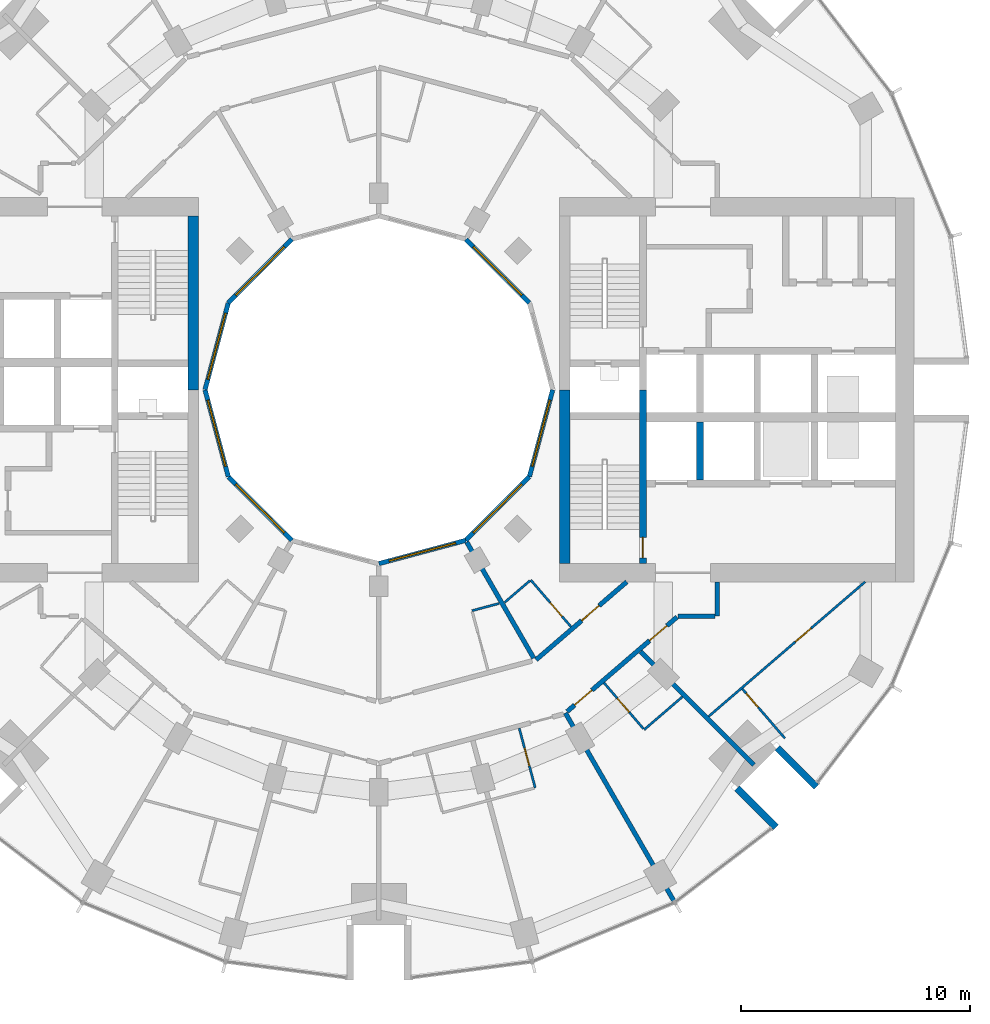
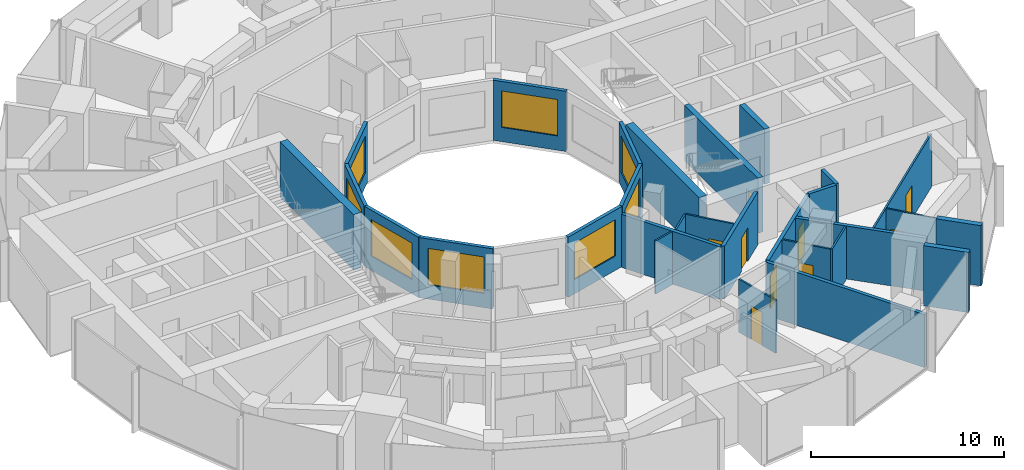
# One storey, part 10 of 15: 29 walls, 9 doors, 8 windows, 17 openings.
"""IFC4 building model written with IfcOpenShell, lengths in metres."""

from ifc_helpers import new_model, si_unit, direction, frame, frame_2d, origin, place, context, subcontext, project, spatial, rectangle, extrude, material, layer, layer_set, type_object, element, fill, save


model = new_model("IFC4")

# Units and contexts
model_context = context("Model", 3, precision=1e-05, world=origin(), true_north=direction((0.0, 1.0)))
body_context = subcontext(model_context, "Body", "Model", "MODEL_VIEW")
ifc_project = project(units=[si_unit("LENGTHUNIT", "METRE"), si_unit("AREAUNIT", "SQUARE_METRE"), si_unit("VOLUMEUNIT", "CUBIC_METRE"), si_unit("PLANEANGLEUNIT", "RADIAN"), si_unit("MASSUNIT", "GRAM", prefix="KILO")], contexts=[model_context])

# Site, building, storey
site_placement = place(None, origin())
site = spatial("IfcSite", under=ifc_project, at=site_placement, CompositionType="ELEMENT")
building_placement = place(site_placement, origin())
building = spatial("IfcBuilding", under=site, at=building_placement, Name="Torre Brocal", CompositionType="ELEMENT")
storey_placement = place(building_placement, frame((0.0, 0.0, 51.60009765625)))
storey = spatial("IfcBuildingStorey", under=building, at=storey_placement, Name="L11", CompositionType="ELEMENT", Elevation=51.60009765625)

# Wall, opening, door
ifc_material_1 = material(Name="Concrete C80", Category="concrete")
ifc_layer_1 = layer(ifc_material_1, 0.300048828125)
ifc_layer_set_1 = layer_set([ifc_layer_1], Name="Concrete C80")
wall_type_1 = type_object("IfcWallType", Name="CORE WALL 300 C80", PredefinedType="SHEAR", material=ifc_layer_set_1)
wall_1_placement = place(storey_placement, frame((91.550048828125, 67.39990234375, 0.0), z_axis=(0.0, 0.0, 1.0), x_axis=(0.0, 1.0, 0.0)))
wall_1 = element("IfcWall", 1, at=wall_1_placement, inside=storey, type_object=wall_type_1, Name="Wall CW300-80", PredefinedType="SHEAR", context=body_context, shape_type="SweptSolid", body=[
    extrude(rectangle(XDim=7.60009765625, YDim=0.300048828125, at=frame_2d((3.800048828125, 0.0))), origin(), (0.0, 0.0, 1.0), 3.47998046875),
])
opening_1_placement = place(wall_1_placement, frame((0.25, 0.0, 0.0)))
opening_1 = element("IfcOpeningElement", 2, at=opening_1_placement, cuts=wall_1, Name="Opening E-D03", PredefinedType="OPENING", context=body_context, shape_type="SweptSolid", body=[
    extrude(rectangle(XDim=0.89990234375, YDim=2.10009765625, at=frame_2d((0.449951171875, 1.050048828125))), frame((0.0, 0.159912109375, 0.0), z_axis=(0.0, -1.0, 0.0), x_axis=(1.0, 0.0, 0.0)), (0.0, 0.0, 1.0), 0.320068359375),
])
ifc_material_2 = material(Name="Steel A653", Category="steel")
door_type_1 = type_object("IfcDoorType", Name="STAIR DOOR FD120 900X2100", OperationType="SINGLE_SWING_RIGHT", PredefinedType="DOOR", material=ifc_material_2)
door_1_placement = place(opening_1_placement, origin())
door_1 = element("IfcDoor", 3, at=door_1_placement, inside=storey, type_object=door_type_1, Name="Door E-D03", OperationType="SINGLE_SWING_LEFT", OverallHeight=2.10009765625, OverallWidth=0.89990234375, PredefinedType="DOOR", context=body_context, shape_type="SweptSolid", body=[
    extrude(rectangle(XDim=0.89990234375, YDim=2.10009765625, at=frame_2d((0.449951171875, 1.050048828125))), frame((0.0, 0.02490234375, 0.0), z_axis=(0.0, -1.0, 0.0), x_axis=(1.0, 0.0, 0.0)), (0.0, 0.0, 1.0), 0.050048828125),
])
fill(opening_1, door_1)

# Walls
wall_2_placement = place(storey_placement, frame((94.050048828125, 71.050048828125, 0.0), z_axis=(0.0, 0.0, 1.0), x_axis=(0.0, 1.0, 0.0)))
element("IfcWall", 4, at=wall_2_placement, inside=storey, type_object=wall_type_1, Name="Wall CW300-80", PredefinedType="SHEAR", context=body_context, shape_type="SweptSolid", body=[
    extrude(rectangle(XDim=2.550048828125, YDim=0.300048828125, at=frame_2d((1.27490234375, 0.0))), origin(), (0.0, 0.0, 1.0), 3.47998046875),
])
ifc_material_3 = material(Name="Concrete C80", Category="concrete")
ifc_layer_2 = layer(ifc_material_3, 0.449951171875)
ifc_layer_set_2 = layer_set([ifc_layer_2], Name="Concrete C80")
wall_type_2 = type_object("IfcWallType", Name="CORE WALL 450 C80", PredefinedType="SHEAR", material=ifc_layer_set_2)
for number, where, z_axis, x_axis, name in (
    (5, (88.125, 67.39990234375, 0.0), (0.0, 0.0, 1.0), (0.0, 1.0, 0.0), "Wall CW450-80"),
    (6, (71.875, 82.60009765625, 0.0), (0.0, 0.0, 1.0), (0.0, -1.0, 0.0), "Wall CW450-80"),
):
    element("IfcWall", number, at=place(storey_placement, frame(where, z_axis=z_axis, x_axis=x_axis)), inside=storey, type_object=wall_type_2, Name=name, PredefinedType="SHEAR", context=body_context, shape_type="SweptSolid", body=[
        extrude(rectangle(XDim=7.60009765625, YDim=0.449951171875, at=frame_2d((3.800048828125, 0.0))), origin(), (0.0, 0.0, 1.0), 3.47998046875),
    ])
ifc_material_4 = material(Name="Concrete C80", Category="concrete")
ifc_layer_3 = layer(ifc_material_4, 0.300048828125)
ifc_layer_set_3 = layer_set([ifc_layer_3], Name="Concrete C80")
wall_type_3 = type_object("IfcWallType", Name="NOTCH RETURN WALL 300 C80", PredefinedType="NOTDEFINED", material=ifc_layer_set_3)
for number, where, z_axis, x_axis, name in (
    (7, (95.662353515625, 57.56982421875, 0.0), (0.0, 0.0, 1.0), (0.707106781187, -0.707106781187, 0.0), "NOTCH RETURN WALL"),
    (8, (97.43017578125, 59.337646484375, 0.0), (0.0, 0.0, 1.0), (0.707106781187, -0.707106781187, 0.0), "NOTCH RETURN WALL"),
):
    element("IfcWall", number, at=place(storey_placement, frame(where, z_axis=z_axis, x_axis=x_axis)), inside=storey, type_object=wall_type_3, Name=name, PredefinedType="NOTDEFINED", context=body_context, shape_type="SweptSolid", body=[
        extrude(rectangle(XDim=2.415771484375, YDim=0.300048828125, at=frame_2d((1.2080078125, 0.0))), origin(), (0.0, 0.0, 1.0), 3.7998046875),
    ])
ifc_material_5 = material(Name="Gypsum board", Category="Gypsum")
ifc_layer_4 = layer(ifc_material_5, 0.10009765625)
ifc_layer_set_4 = layer_set([ifc_layer_4], Name="Gypsum board")
wall_type_4 = type_object("IfcWallType", Name="PARTITION 100", PredefinedType="PARTITIONING", material=ifc_layer_set_4)
wall_3_placement = place(storey_placement, frame((84.073974609375, 65.3369140625, 0.0), z_axis=(0.0, 0.0, 1.0), x_axis=(0.965914351064, 0.258861867428, 0.0)))
element("IfcWall", 9, at=wall_3_placement, inside=storey, type_object=wall_type_4, Name="BATHROOM WALL", PredefinedType="PARTITIONING", context=body_context, shape_type="SweptSolid", body=[
    extrude(rectangle(XDim=1.22900390625, YDim=0.10009765625, at=frame_2d((0.614501953125, 0.0))), origin(), (0.0, 0.0, 1.0), 3.349853515625),
])
wall_4_placement = place(storey_placement, frame((85.497314453125, 65.69580078125, 0.0), z_axis=(0.0, 0.0, 1.0), x_axis=(0.75817032582, 0.652056559698, 0.0)))
element("IfcWall", 10, at=wall_4_placement, inside=storey, type_object=wall_type_4, Name="BATHROOM WALL", PredefinedType="PARTITIONING", context=body_context, shape_type="SweptSolid", body=[
    extrude(rectangle(XDim=1.4609375, YDim=0.10009765625, at=frame_2d((0.73046875, 0.0))), origin(), (0.0, 0.0, 1.0), 3.349853515625),
])

# Wall, opening, door
wall_5_placement = place(storey_placement, frame((86.139892578125, 60.196044921875, 0.0), z_axis=(0.0, 0.0, 1.0), x_axis=(0.258945475746, -0.965891940432, 0.0)))
wall_5 = element("IfcWall", 11, at=wall_5_placement, inside=storey, type_object=wall_type_4, Name="BATHROOM WALL", PredefinedType="PARTITIONING", context=body_context, shape_type="SweptSolid", body=[
    extrude(rectangle(XDim=2.7001953125, YDim=0.10009765625, at=frame_2d((1.35009765625, 0.0))), origin(), (0.0, 0.0, 1.0), 3.349853515625),
])
opening_2_placement = place(wall_5_placement, frame((0.89990234375, 0.0, 0.0)))
opening_2 = element("IfcOpeningElement", 12, at=opening_2_placement, cuts=wall_5, Name="Opening H03-D26", PredefinedType="OPENING", context=body_context, shape_type="SweptSolid", body=[
    extrude(rectangle(XDim=0.800048828125, YDim=2.10009765625, at=frame_2d((0.39990234375, 1.050048828125))), frame((0.0, 0.06005859375, 0.0), z_axis=(0.0, -1.0, 0.0), x_axis=(1.0, 0.0, 0.0)), (0.0, 0.0, 1.0), 0.1201171875),
])
ifc_material_6 = material(Name="Timber", Category="wood")
door_type_2 = type_object("IfcDoorType", Name="BATHROOM DOOR 800X2100", OperationType="SINGLE_SWING_LEFT", PredefinedType="DOOR", material=ifc_material_6)
door_2_placement = place(opening_2_placement, frame((0.800048828125, 0.0, 0.0), z_axis=(0.0, 0.0, 1.0), x_axis=(-1.0, 0.0, 0.0)))
door_2 = element("IfcDoor", 13, at=door_2_placement, inside=storey, type_object=door_type_2, Name="H03-D26", OperationType="SINGLE_SWING_RIGHT", OverallHeight=2.10009765625, OverallWidth=0.800048828125, PredefinedType="DOOR", context=body_context, shape_type="SweptSolid", body=[
    extrude(rectangle(XDim=0.800048828125, YDim=2.10009765625, at=frame_2d((0.39990234375, 1.050048828125))), frame((0.0, 0.02490234375, 0.0), z_axis=(0.0, -1.0, 0.0), x_axis=(1.0, 0.0, 0.0)), (0.0, 0.0, 1.0), 0.050048828125),
])
fill(opening_2, door_2)

wall_6_placement = place(storey_placement, frame((86.64306640625, 66.680908203125, 0.0), z_axis=(0.0, 0.0, 1.0), x_axis=(0.652264876065, -0.757991115682, 0.0)))
wall_6 = element("IfcWall", 14, at=wall_6_placement, inside=storey, type_object=wall_type_4, Name="BATHROOM WALL", PredefinedType="PARTITIONING", context=body_context, shape_type="SweptSolid", body=[
    extrude(rectangle(XDim=2.699462890625, YDim=0.10009765625, at=frame_2d((1.349609375, 0.0))), origin(), (0.0, 0.0, 1.0), 3.349853515625),
])
opening_3_placement = place(wall_6_placement, frame((1.2998046875, 0.0, 0.0)))
opening_3 = element("IfcOpeningElement", 15, at=opening_3_placement, cuts=wall_6, Name="Opening H03-D40", PredefinedType="OPENING", context=body_context, shape_type="SweptSolid", body=[
    extrude(rectangle(XDim=0.800048828125, YDim=2.10009765625, at=frame_2d((0.39990234375, 1.050048828125))), frame((0.0, 0.06005859375, 0.0), z_axis=(0.0, -1.0, 0.0), x_axis=(1.0, 0.0, 0.0)), (0.0, 0.0, 1.0), 0.1201171875),
])
door_3_placement = place(opening_3_placement, frame((0.800048828125, 0.0, 0.0), z_axis=(0.0, 0.0, 1.0), x_axis=(-1.0, 0.0, 0.0)))
door_3 = element("IfcDoor", 16, at=door_3_placement, inside=storey, type_object=door_type_2, Name="H03-D40", OperationType="SINGLE_SWING_LEFT", OverallHeight=2.10009765625, OverallWidth=0.800048828125, PredefinedType="DOOR", context=body_context, shape_type="SweptSolid", body=[
    extrude(rectangle(XDim=0.800048828125, YDim=2.10009765625, at=frame_2d((0.39990234375, 1.050048828125))), frame((0.0, 0.02490234375, 0.0), z_axis=(0.0, -1.0, 0.0), x_axis=(1.0, 0.0, 0.0)), (0.0, 0.0, 1.0), 0.050048828125),
])
fill(opening_3, door_3)

wall_7_placement = place(storey_placement, frame((89.846435546875, 62.181884765625, 0.0), z_axis=(0.0, 0.0, 1.0), x_axis=(0.652095405055, -0.758136915541, 0.0)))
wall_7 = element("IfcWall", 17, at=wall_7_placement, inside=storey, type_object=wall_type_4, Name="BATHROOM WALL", PredefinedType="PARTITIONING", context=body_context, shape_type="SweptSolid", body=[
    extrude(rectangle(XDim=2.64990234375, YDim=0.10009765625, at=frame_2d((1.324951171875, 0.0))), origin(), (0.0, 0.0, 1.0), 3.349853515625),
])
opening_4_placement = place(wall_7_placement, frame((0.899658203125, 0.0, 0.0)))
opening_4 = element("IfcOpeningElement", 18, at=opening_4_placement, cuts=wall_7, Name="Opening H03-D24", PredefinedType="OPENING", context=body_context, shape_type="SweptSolid", body=[
    extrude(rectangle(XDim=0.800048828125, YDim=2.10009765625, at=frame_2d((0.39990234375, 1.050048828125))), frame((0.0, 0.06005859375, 0.0), z_axis=(0.0, -1.0, 0.0), x_axis=(1.0, 0.0, 0.0)), (0.0, 0.0, 1.0), 0.1201171875),
])
door_4_placement = place(opening_4_placement, origin())
door_4 = element("IfcDoor", 19, at=door_4_placement, inside=storey, type_object=door_type_2, Name="H03-D24", OperationType="SINGLE_SWING_LEFT", OverallHeight=2.10009765625, OverallWidth=0.800048828125, PredefinedType="DOOR", context=body_context, shape_type="SweptSolid", body=[
    extrude(rectangle(XDim=0.800048828125, YDim=2.10009765625, at=frame_2d((0.39990234375, 1.050048828125))), frame((0.0, 0.02490234375, 0.0), z_axis=(0.0, -1.0, 0.0), x_axis=(1.0, 0.0, 0.0)), (0.0, 0.0, 1.0), 0.050048828125),
])
fill(opening_4, door_4)

# Wall
wall_8_placement = place(storey_placement, frame((91.60693359375, 60.135009765625, 0.0), z_axis=(0.0, 0.0, 1.0), x_axis=(0.758135842672, 0.652096652388, 0.0)))
element("IfcWall", 20, at=wall_8_placement, inside=storey, type_object=wall_type_4, Name="BATHROOM WALL", PredefinedType="PARTITIONING", context=body_context, shape_type="SweptSolid", body=[
    extrude(rectangle(XDim=2.201171875, YDim=0.10009765625, at=frame_2d((1.1005859375, 0.0))), origin(), (0.0, 0.0, 1.0), 3.349853515625),
])

# Wall, opening, door
wall_9_placement = place(storey_placement, frame((94.427734375, 60.715087890625, 0.0), z_axis=(0.0, 0.0, 1.0), x_axis=(0.758117248367, 0.65211826974, 0.0)))
wall_9 = element("IfcWall", 21, at=wall_9_placement, inside=storey, type_object=wall_type_4, Name="BATHROOM WALL", PredefinedType="PARTITIONING", context=body_context, shape_type="SweptSolid", body=[
    extrude(rectangle(XDim=9.024169921875, YDim=0.10009765625, at=frame_2d((4.51220703125, 0.0))), origin(), (0.0, 0.0, 1.0), 3.349853515625),
])
opening_5_placement = place(wall_9_placement, frame((5.001953125, 0.0, 0.0)))
opening_5 = element("IfcOpeningElement", 22, at=opening_5_placement, cuts=wall_9, Name="Opening H03-D21", PredefinedType="OPENING", context=body_context, shape_type="SweptSolid", body=[
    extrude(rectangle(XDim=0.89990234375, YDim=2.10009765625, at=frame_2d((0.449951171875, 1.050048828125))), frame((0.0, 0.06005859375, 0.0), z_axis=(0.0, -1.0, 0.0), x_axis=(1.0, 0.0, 0.0)), (0.0, 0.0, 1.0), 0.1201171875),
])
ifc_material_7 = material(Name="Timber", Category="wood")
door_type_3 = type_object("IfcDoorType", Name="ROOM DOOR 900X2100", OperationType="SINGLE_SWING_LEFT", PredefinedType="DOOR", material=ifc_material_7)
door_5_placement = place(opening_5_placement, origin())
door_5 = element("IfcDoor", 23, at=door_5_placement, inside=storey, type_object=door_type_3, Name="H03-D21", OperationType="SINGLE_SWING_RIGHT", OverallHeight=2.10009765625, OverallWidth=0.89990234375, PredefinedType="DOOR", context=body_context, shape_type="SweptSolid", body=[
    extrude(rectangle(XDim=0.89990234375, YDim=2.10009765625, at=frame_2d((0.449951171875, 1.050048828125))), frame((0.0, 0.02490234375, 0.0), z_axis=(0.0, -1.0, 0.0), x_axis=(1.0, 0.0, 0.0)), (0.0, 0.0, 1.0), 0.050048828125),
])
fill(opening_5, door_5)

wall_10_placement = place(storey_placement, frame((95.900634765625, 61.916015625, 0.0), z_axis=(0.0, 0.0, 1.0), x_axis=(0.652215581117, -0.758033532074, 0.0)))
wall_10 = element("IfcWall", 24, at=wall_10_placement, inside=storey, type_object=wall_type_4, Name="BATHROOM WALL", PredefinedType="PARTITIONING", context=body_context, shape_type="SweptSolid", body=[
    extrude(rectangle(XDim=2.849365234375, YDim=0.10009765625, at=frame_2d((1.4248046875, 0.0))), origin(), (0.0, 0.0, 1.0), 3.349853515625),
])
opening_6_placement = place(wall_10_placement, frame((0.249755859375, 0.0, 0.0)))
opening_6 = element("IfcOpeningElement", 25, at=opening_6_placement, cuts=wall_10, Name="Opening H03-D22", PredefinedType="OPENING", context=body_context, shape_type="SweptSolid", body=[
    extrude(rectangle(XDim=0.800048828125, YDim=2.10009765625, at=frame_2d((0.39990234375, 1.050048828125))), frame((0.0, 0.06005859375, 0.0), z_axis=(0.0, -1.0, 0.0), x_axis=(1.0, 0.0, 0.0)), (0.0, 0.0, 1.0), 0.1201171875),
])
door_6_placement = place(opening_6_placement, frame((0.800048828125, 0.0, 0.0), z_axis=(0.0, 0.0, 1.0), x_axis=(-1.0, 0.0, 0.0)))
door_6 = element("IfcDoor", 26, at=door_6_placement, inside=storey, type_object=door_type_2, Name="H03-D22", OperationType="SINGLE_SWING_RIGHT", OverallHeight=2.10009765625, OverallWidth=0.800048828125, PredefinedType="DOOR", context=body_context, shape_type="SweptSolid", body=[
    extrude(rectangle(XDim=0.800048828125, YDim=2.10009765625, at=frame_2d((0.39990234375, 1.050048828125))), frame((0.0, 0.02490234375, 0.0), z_axis=(0.0, -1.0, 0.0), x_axis=(1.0, 0.0, 0.0)), (0.0, 0.0, 1.0), 0.050048828125),
])
fill(opening_6, door_6)

# Wall
ifc_material_8 = material(Name="Gypsum board", Category="Gypsum")
ifc_layer_5 = layer(ifc_material_8, 0.199951171875)
ifc_layer_set_5 = layer_set([ifc_layer_5], Name="Gypsum board")
wall_type_5 = type_object("IfcWallType", Name="PARTITION 200 EI60", PredefinedType="PARTITIONING", material=ifc_layer_set_5)
wall_11_placement = place(storey_placement, frame((83.84765625, 68.332275390625, 0.0), z_axis=(0.0, 0.0, 1.0), x_axis=(0.499901724708, -0.866082135617, 0.0)))
element("IfcWall", 27, at=wall_11_placement, inside=storey, type_object=wall_type_5, Name="BATHROOM WALL", PredefinedType="PARTITIONING", context=body_context, shape_type="SweptSolid", body=[
    extrude(rectangle(XDim=5.855224609375, YDim=0.199951171875, at=frame_2d((2.927734375, 0.0))), origin(), (0.0, 0.0, 1.0), 3.349853515625),
])

# Wall, opening, door
wall_12_placement = place(storey_placement, frame((86.876953125, 63.189208984375, 0.0), z_axis=(0.0, 0.0, 1.0), x_axis=(0.758164888471, 0.652062881853, 0.0)))
wall_12 = element("IfcWall", 28, at=wall_12_placement, inside=storey, type_object=wall_type_5, Name="GUESTROOM CORRIDOR WALL", PredefinedType="PARTITIONING", context=body_context, shape_type="SweptSolid", body=[
    extrude(rectangle(XDim=5.230224609375, YDim=0.199951171875, at=frame_2d((2.615234375, 0.0))), origin(), (0.0, 0.0, 1.0), 3.349853515625),
])
opening_7_placement = place(wall_12_placement, frame((2.63037109375, 0.0, 0.0)))
opening_7 = element("IfcOpeningElement", 29, at=opening_7_placement, cuts=wall_12, Name="Opening H03-D39", PredefinedType="OPENING", context=body_context, shape_type="SweptSolid", body=[
    extrude(rectangle(XDim=1.0, YDim=2.10009765625, at=frame_2d((0.5, 1.050048828125))), frame((0.0, 0.10986328125, 0.0), z_axis=(0.0, -1.0, 0.0), x_axis=(1.0, 0.0, 0.0)), (0.0, 0.0, 1.0), 0.219970703125),
])
ifc_material_9 = material(Name="Timber", Category="wood")
door_type_4 = type_object("IfcDoorType", Name="FLAT ENTRY DOOR FD30S 1000X2100", OperationType="SINGLE_SWING_RIGHT", PredefinedType="DOOR", material=ifc_material_9)
door_7_placement = place(opening_7_placement, origin())
door_7 = element("IfcDoor", 30, at=door_7_placement, inside=storey, type_object=door_type_4, Name="H03-D39", OperationType="SINGLE_SWING_LEFT", OverallHeight=2.10009765625, OverallWidth=1.0, PredefinedType="DOOR", context=body_context, shape_type="SweptSolid", body=[
    extrude(rectangle(XDim=1.0, YDim=2.10009765625, at=frame_2d((0.5, 1.050048828125))), frame((0.0, 0.02490234375, 0.0), z_axis=(0.0, -1.0, 0.0), x_axis=(1.0, 0.0, 0.0)), (0.0, 0.0, 1.0), 0.050048828125),
])
fill(opening_7, door_7)

# Wall, openings, doors
wall_13_placement = place(storey_placement, frame((88.236328125, 60.92919921875, 0.0), z_axis=(0.0, 0.0, 1.0), x_axis=(0.758227485202, 0.651990092474, 0.0)))
wall_13 = element("IfcWall", 31, at=wall_13_placement, inside=storey, type_object=wall_type_5, Name="FLAT ENTRANCE WALL", PredefinedType="PARTITIONING", context=body_context, shape_type="SweptSolid", body=[
    extrude(rectangle(XDim=6.335693359375, YDim=0.199951171875, at=frame_2d((3.16796875, 0.0))), origin(), (0.0, 0.0, 1.0), 3.349853515625),
])
opening_8_placement = place(wall_13_placement, frame((4.7568359375, 0.0, 0.0)))
opening_8 = element("IfcOpeningElement", 32, at=opening_8_placement, cuts=wall_13, Name="Opening H03-D20", PredefinedType="OPENING", context=body_context, shape_type="SweptSolid", body=[
    extrude(rectangle(XDim=1.0, YDim=2.10009765625, at=frame_2d((0.5, 1.050048828125))), frame((0.0, 0.10986328125, 0.0), z_axis=(0.0, -1.0, 0.0), x_axis=(1.0, 0.0, 0.0)), (0.0, 0.0, 1.0), 0.219970703125),
])
opening_9_placement = place(wall_13_placement, frame((0.430419921875, 0.0, 0.0)))
opening_9 = element("IfcOpeningElement", 33, at=opening_9_placement, cuts=wall_13, Name="Opening H03-D23", PredefinedType="OPENING", context=body_context, shape_type="SweptSolid", body=[
    extrude(rectangle(XDim=1.0, YDim=2.10009765625, at=frame_2d((0.5, 1.050048828125))), frame((0.0, 0.10986328125, 0.0), z_axis=(0.0, -1.0, 0.0), x_axis=(1.0, 0.0, 0.0)), (0.0, 0.0, 1.0), 0.219970703125),
])
door_8_placement = place(opening_8_placement, frame((1.0, 0.0, 0.0), z_axis=(0.0, 0.0, 1.0), x_axis=(-1.0, 0.0, 0.0)))
door_8 = element("IfcDoor", 34, at=door_8_placement, inside=storey, type_object=door_type_4, Name="H03-D20", OperationType="SINGLE_SWING_RIGHT", OverallHeight=2.10009765625, OverallWidth=1.0, PredefinedType="DOOR", context=body_context, shape_type="SweptSolid", body=[
    extrude(rectangle(XDim=1.0, YDim=2.10009765625, at=frame_2d((0.5, 1.050048828125))), frame((0.0, 0.02490234375, 0.0), z_axis=(0.0, -1.0, 0.0), x_axis=(1.0, 0.0, 0.0)), (0.0, 0.0, 1.0), 0.050048828125),
])
fill(opening_8, door_8)
door_9_placement = place(opening_9_placement, frame((1.0, 0.0, 0.0), z_axis=(0.0, 0.0, 1.0), x_axis=(-1.0, 0.0, 0.0)))
door_9 = element("IfcDoor", 35, at=door_9_placement, inside=storey, type_object=door_type_4, Name="H03-D23", OperationType="SINGLE_SWING_RIGHT", OverallHeight=2.10009765625, OverallWidth=1.0, PredefinedType="DOOR", context=body_context, shape_type="SweptSolid", body=[
    extrude(rectangle(XDim=1.0, YDim=2.10009765625, at=frame_2d((0.5, 1.050048828125))), frame((0.0, 0.02490234375, 0.0), z_axis=(0.0, -1.0, 0.0), x_axis=(1.0, 0.0, 0.0)), (0.0, 0.0, 1.0), 0.050048828125),
])
fill(opening_9, door_9)

# Walls
wall_14_placement = place(storey_placement, frame((88.1591796875, 60.86279296875, 0.0), z_axis=(0.0, 0.0, 1.0), x_axis=(0.499886028459, -0.866091195286, 0.0)))
element("IfcWall", 36, at=wall_14_placement, inside=storey, type_object=wall_type_5, Name="PARTY PARTITION", PredefinedType="PARTITIONING", context=body_context, shape_type="SweptSolid", body=[
    extrude(rectangle(XDim=9.474853515625, YDim=0.199951171875, at=frame_2d((4.7373046875, 0.0))), origin(), (0.0, 0.0, 1.0), 3.349853515625),
])
wall_15_placement = place(storey_placement, frame((91.44921875, 63.5478515625, 0.0), z_axis=(0.0, 0.0, 1.0), x_axis=(0.706984810649, -0.707228730688, 0.0)))
element("IfcWall", 37, at=wall_15_placement, inside=storey, type_object=wall_type_5, Name="BATHROOM WALL", PredefinedType="PARTITIONING", context=body_context, shape_type="SweptSolid", body=[
    extrude(rectangle(XDim=7.00634765625, YDim=0.199951171875, at=frame_2d((3.503173828125, 0.0))), origin(), (0.0, 0.0, 1.0), 3.349853515625),
])
wall_16_placement = place(storey_placement, frame((93.0849609375, 65.10009765625, 0.0), z_axis=(0.0, 0.0, 1.0), x_axis=(1.0, 0.0, 0.0)))
element("IfcWall", 38, at=wall_16_placement, inside=storey, type_object=wall_type_5, Name="FLAT ENTRANCE WALL", PredefinedType="PARTITIONING", context=body_context, shape_type="SweptSolid", body=[
    extrude(rectangle(XDim=1.614990234375, YDim=0.199951171875, at=frame_2d((0.8076171875, 0.0))), origin(), (0.0, 0.0, 1.0), 3.349853515625),
])
wall_17_placement = place(storey_placement, frame((94.800048828125, 65.10009765625, 0.0), z_axis=(0.0, 0.0, 1.0), x_axis=(0.0, 1.0, 0.0)))
element("IfcWall", 39, at=wall_17_placement, inside=storey, type_object=wall_type_5, Name="FLAT ENTRANCE WALL", PredefinedType="PARTITIONING", context=body_context, shape_type="SweptSolid", body=[
    extrude(rectangle(XDim=1.4990234375, YDim=0.199951171875, at=frame_2d((0.74951171875, 0.0))), origin(), (0.0, 0.0, 1.0), 3.349853515625),
])

# Wall, opening, window
ifc_material_10 = material(Name="Concrete C40", Category="concrete")
ifc_layer_6 = layer(ifc_material_10, 0.199951171875)
ifc_layer_set_6 = layer_set([ifc_layer_6], Name="Concrete C40")
wall_type_6 = type_object("IfcWallType", Name="WELL FACADE WALL 200", PredefinedType="NOTDEFINED", material=ifc_layer_set_6)
wall_18_placement = place(storey_placement, frame((86.5849609375, 78.8017578125, 0.0), z_axis=(0.0, 0.0, 1.0), x_axis=(-0.707106781187, 0.707106781187, 0.0)))
wall_18 = element("IfcWall", 40, at=wall_18_placement, inside=storey, type_object=wall_type_6, Name="WELL FACADE WALL", PredefinedType="NOTDEFINED", context=body_context, shape_type="SweptSolid", body=[
    extrude(rectangle(XDim=3.93603515625, YDim=0.199951171875, at=frame_2d((1.968017578125, 0.0))), origin(), (0.0, 0.0, 1.0), 3.7998046875),
])
opening_10_placement = place(wall_18_placement, frame((0.468017578125, 0.0, 0.89990234375)))
opening_10 = element("IfcOpeningElement", 41, at=opening_10_placement, cuts=wall_18, Name="Opening W1", PredefinedType="OPENING", context=body_context, shape_type="SweptSolid", body=[
    extrude(rectangle(XDim=3.0, YDim=2.300048828125, at=frame_2d((1.5, 1.14990234375))), frame((0.0, 0.10986328125, 0.0), z_axis=(0.0, -1.0, 0.0), x_axis=(1.0, 0.0, 0.0)), (0.0, 0.0, 1.0), 0.219970703125),
])
ifc_material_11 = material(Name="Aluminium and glass", Category="aluminium")
window_type = type_object("IfcWindowType", Name="WELL WINDOW 3000X2300", PartitioningType="SINGLE_PANEL", PredefinedType="WINDOW", material=ifc_material_11)
window_1_placement = place(opening_10_placement, origin())
window_1 = element("IfcWindow", 42, at=window_1_placement, inside=storey, type_object=window_type, Name="WELL WINDOW 3000X2300", OverallHeight=2.300048828125, OverallWidth=3.0, PartitioningType="SINGLE_PANEL", PredefinedType="WINDOW", context=body_context, shape_type="SweptSolid", body=[
    extrude(rectangle(XDim=3.0, YDim=2.300048828125, at=frame_2d((1.5, 1.14990234375))), frame((0.0, 0.030029296875, 0.0), z_axis=(0.0, -1.0, 0.0), x_axis=(1.0, 0.0, 0.0)), (0.0, 0.0, 1.0), 0.06005859375),
])
fill(opening_10, window_1)

wall_19_placement = place(storey_placement, frame((76.1982421875, 81.5849609375, 0.0), z_axis=(0.0, 0.0, 1.0), x_axis=(-0.707106781187, -0.707106781187, 0.0)))
wall_19 = element("IfcWall", 43, at=wall_19_placement, inside=storey, type_object=wall_type_6, Name="WELL FACADE WALL", PredefinedType="NOTDEFINED", context=body_context, shape_type="SweptSolid", body=[
    extrude(rectangle(XDim=3.93603515625, YDim=0.199951171875, at=frame_2d((1.968017578125, 0.0))), origin(), (0.0, 0.0, 1.0), 3.7998046875),
])
opening_11_placement = place(wall_19_placement, frame((0.468017578125, 0.0, 0.89990234375)))
opening_11 = element("IfcOpeningElement", 44, at=opening_11_placement, cuts=wall_19, Name="Opening W1", PredefinedType="OPENING", context=body_context, shape_type="SweptSolid", body=[
    extrude(rectangle(XDim=3.0, YDim=2.300048828125, at=frame_2d((1.5, 1.14990234375))), frame((0.0, 0.10986328125, 0.0), z_axis=(0.0, -1.0, 0.0), x_axis=(1.0, 0.0, 0.0)), (0.0, 0.0, 1.0), 0.219970703125),
])
window_2_placement = place(opening_11_placement, origin())
window_2 = element("IfcWindow", 45, at=window_2_placement, inside=storey, type_object=window_type, Name="WELL WINDOW 3000X2300", OverallHeight=2.300048828125, OverallWidth=3.0, PartitioningType="SINGLE_PANEL", PredefinedType="WINDOW", context=body_context, shape_type="SweptSolid", body=[
    extrude(rectangle(XDim=3.0, YDim=2.300048828125, at=frame_2d((1.5, 1.14990234375))), frame((0.0, 0.030029296875, 0.0), z_axis=(0.0, -1.0, 0.0), x_axis=(1.0, 0.0, 0.0)), (0.0, 0.0, 1.0), 0.06005859375),
])
fill(opening_11, window_2)

wall_20_placement = place(storey_placement, frame((73.4150390625, 78.8017578125, 0.0), z_axis=(0.0, 0.0, 1.0), x_axis=(-0.258789828301, -0.965933654434, 0.0)))
wall_20 = element("IfcWall", 46, at=wall_20_placement, inside=storey, type_object=wall_type_6, Name="WELL FACADE WALL", PredefinedType="NOTDEFINED", context=body_context, shape_type="SweptSolid", body=[
    extrude(rectangle(XDim=3.935791015625, YDim=0.199951171875, at=frame_2d((1.9677734375, 0.0))), origin(), (0.0, 0.0, 1.0), 3.7998046875),
])
opening_12_placement = place(wall_20_placement, frame((0.468017578125, 0.0, 0.89990234375)))
opening_12 = element("IfcOpeningElement", 47, at=opening_12_placement, cuts=wall_20, Name="Opening W1", PredefinedType="OPENING", context=body_context, shape_type="SweptSolid", body=[
    extrude(rectangle(XDim=3.0, YDim=2.300048828125, at=frame_2d((1.5, 1.14990234375))), frame((0.0, 0.10986328125, 0.0), z_axis=(0.0, -1.0, 0.0), x_axis=(1.0, 0.0, 0.0)), (0.0, 0.0, 1.0), 0.219970703125),
])
window_3_placement = place(opening_12_placement, origin())
window_3 = element("IfcWindow", 48, at=window_3_placement, inside=storey, type_object=window_type, Name="WELL WINDOW 3000X2300", OverallHeight=2.300048828125, OverallWidth=3.0, PartitioningType="SINGLE_PANEL", PredefinedType="WINDOW", context=body_context, shape_type="SweptSolid", body=[
    extrude(rectangle(XDim=3.0, YDim=2.300048828125, at=frame_2d((1.5, 1.14990234375))), frame((0.0, 0.030029296875, 0.0), z_axis=(0.0, -1.0, 0.0), x_axis=(1.0, 0.0, 0.0)), (0.0, 0.0, 1.0), 0.06005859375),
])
fill(opening_12, window_3)

wall_21_placement = place(storey_placement, frame((72.396484375, 75.0, 0.0), z_axis=(0.0, 0.0, 1.0), x_axis=(0.258789828301, -0.965933654434, 0.0)))
wall_21 = element("IfcWall", 49, at=wall_21_placement, inside=storey, type_object=wall_type_6, Name="WELL FACADE WALL", PredefinedType="NOTDEFINED", context=body_context, shape_type="SweptSolid", body=[
    extrude(rectangle(XDim=3.935791015625, YDim=0.199951171875, at=frame_2d((1.9677734375, 0.0))), origin(), (0.0, 0.0, 1.0), 3.7998046875),
])
opening_13_placement = place(wall_21_placement, frame((0.468017578125, 0.0, 0.89990234375)))
opening_13 = element("IfcOpeningElement", 50, at=opening_13_placement, cuts=wall_21, Name="Opening W1", PredefinedType="OPENING", context=body_context, shape_type="SweptSolid", body=[
    extrude(rectangle(XDim=3.0, YDim=2.300048828125, at=frame_2d((1.5, 1.14990234375))), frame((0.0, 0.10986328125, 0.0), z_axis=(0.0, -1.0, 0.0), x_axis=(1.0, 0.0, 0.0)), (0.0, 0.0, 1.0), 0.219970703125),
])
window_4_placement = place(opening_13_placement, origin())
window_4 = element("IfcWindow", 51, at=window_4_placement, inside=storey, type_object=window_type, Name="WELL WINDOW 3000X2300", OverallHeight=2.300048828125, OverallWidth=3.0, PartitioningType="SINGLE_PANEL", PredefinedType="WINDOW", context=body_context, shape_type="SweptSolid", body=[
    extrude(rectangle(XDim=3.0, YDim=2.300048828125, at=frame_2d((1.5, 1.14990234375))), frame((0.0, 0.030029296875, 0.0), z_axis=(0.0, -1.0, 0.0), x_axis=(1.0, 0.0, 0.0)), (0.0, 0.0, 1.0), 0.06005859375),
])
fill(opening_13, window_4)

wall_22_placement = place(storey_placement, frame((73.4150390625, 71.1982421875, 0.0), z_axis=(0.0, 0.0, 1.0), x_axis=(0.707106781187, -0.707106781187, 0.0)))
wall_22 = element("IfcWall", 52, at=wall_22_placement, inside=storey, type_object=wall_type_6, Name="WELL FACADE WALL", PredefinedType="NOTDEFINED", context=body_context, shape_type="SweptSolid", body=[
    extrude(rectangle(XDim=3.93603515625, YDim=0.199951171875, at=frame_2d((1.968017578125, 0.0))), origin(), (0.0, 0.0, 1.0), 3.7998046875),
])
opening_14_placement = place(wall_22_placement, frame((0.468017578125, 0.0, 0.89990234375)))
opening_14 = element("IfcOpeningElement", 53, at=opening_14_placement, cuts=wall_22, Name="Opening W1", PredefinedType="OPENING", context=body_context, shape_type="SweptSolid", body=[
    extrude(rectangle(XDim=3.0, YDim=2.300048828125, at=frame_2d((1.5, 1.14990234375))), frame((0.0, 0.10986328125, 0.0), z_axis=(0.0, -1.0, 0.0), x_axis=(1.0, 0.0, 0.0)), (0.0, 0.0, 1.0), 0.219970703125),
])
window_5_placement = place(opening_14_placement, origin())
window_5 = element("IfcWindow", 54, at=window_5_placement, inside=storey, type_object=window_type, Name="WELL WINDOW 3000X2300", OverallHeight=2.300048828125, OverallWidth=3.0, PartitioningType="SINGLE_PANEL", PredefinedType="WINDOW", context=body_context, shape_type="SweptSolid", body=[
    extrude(rectangle(XDim=3.0, YDim=2.300048828125, at=frame_2d((1.5, 1.14990234375))), frame((0.0, 0.030029296875, 0.0), z_axis=(0.0, -1.0, 0.0), x_axis=(1.0, 0.0, 0.0)), (0.0, 0.0, 1.0), 0.06005859375),
])
fill(opening_14, window_5)

wall_23_placement = place(storey_placement, frame((80.0, 67.396484375, 0.0), z_axis=(0.0, 0.0, 1.0), x_axis=(0.965933654434, 0.258789828301, 0.0)))
wall_23 = element("IfcWall", 55, at=wall_23_placement, inside=storey, type_object=wall_type_6, Name="WELL FACADE WALL", PredefinedType="NOTDEFINED", context=body_context, shape_type="SweptSolid", body=[
    extrude(rectangle(XDim=3.935791015625, YDim=0.199951171875, at=frame_2d((1.9677734375, 0.0))), origin(), (0.0, 0.0, 1.0), 3.7998046875),
])
opening_15_placement = place(wall_23_placement, frame((0.468017578125, 0.0, 0.89990234375)))
opening_15 = element("IfcOpeningElement", 56, at=opening_15_placement, cuts=wall_23, Name="Opening W1", PredefinedType="OPENING", context=body_context, shape_type="SweptSolid", body=[
    extrude(rectangle(XDim=3.0, YDim=2.300048828125, at=frame_2d((1.5, 1.14990234375))), frame((0.0, 0.10986328125, 0.0), z_axis=(0.0, -1.0, 0.0), x_axis=(1.0, 0.0, 0.0)), (0.0, 0.0, 1.0), 0.219970703125),
])
window_6_placement = place(opening_15_placement, origin())
window_6 = element("IfcWindow", 57, at=window_6_placement, inside=storey, type_object=window_type, Name="WELL WINDOW 3000X2300", OverallHeight=2.300048828125, OverallWidth=3.0, PartitioningType="SINGLE_PANEL", PredefinedType="WINDOW", context=body_context, shape_type="SweptSolid", body=[
    extrude(rectangle(XDim=3.0, YDim=2.300048828125, at=frame_2d((1.5, 1.14990234375))), frame((0.0, 0.030029296875, 0.0), z_axis=(0.0, -1.0, 0.0), x_axis=(1.0, 0.0, 0.0)), (0.0, 0.0, 1.0), 0.06005859375),
])
fill(opening_15, window_6)

wall_24_placement = place(storey_placement, frame((83.8017578125, 68.4150390625, 0.0), z_axis=(0.0, 0.0, 1.0), x_axis=(0.707106781187, 0.707106781187, 0.0)))
wall_24 = element("IfcWall", 58, at=wall_24_placement, inside=storey, type_object=wall_type_6, Name="WELL FACADE WALL", PredefinedType="NOTDEFINED", context=body_context, shape_type="SweptSolid", body=[
    extrude(rectangle(XDim=3.93603515625, YDim=0.199951171875, at=frame_2d((1.968017578125, 0.0))), origin(), (0.0, 0.0, 1.0), 3.7998046875),
])
opening_16_placement = place(wall_24_placement, frame((0.468017578125, 0.0, 0.89990234375)))
opening_16 = element("IfcOpeningElement", 59, at=opening_16_placement, cuts=wall_24, Name="Opening W1", PredefinedType="OPENING", context=body_context, shape_type="SweptSolid", body=[
    extrude(rectangle(XDim=3.0, YDim=2.300048828125, at=frame_2d((1.5, 1.14990234375))), frame((0.0, 0.10986328125, 0.0), z_axis=(0.0, -1.0, 0.0), x_axis=(1.0, 0.0, 0.0)), (0.0, 0.0, 1.0), 0.219970703125),
])
window_7_placement = place(opening_16_placement, origin())
window_7 = element("IfcWindow", 60, at=window_7_placement, inside=storey, type_object=window_type, Name="WELL WINDOW 3000X2300", OverallHeight=2.300048828125, OverallWidth=3.0, PartitioningType="SINGLE_PANEL", PredefinedType="WINDOW", context=body_context, shape_type="SweptSolid", body=[
    extrude(rectangle(XDim=3.0, YDim=2.300048828125, at=frame_2d((1.5, 1.14990234375))), frame((0.0, 0.030029296875, 0.0), z_axis=(0.0, -1.0, 0.0), x_axis=(1.0, 0.0, 0.0)), (0.0, 0.0, 1.0), 0.06005859375),
])
fill(opening_16, window_7)

wall_25_placement = place(storey_placement, frame((86.5849609375, 71.1982421875, 0.0), z_axis=(0.0, 0.0, 1.0), x_axis=(0.258789828301, 0.965933654434, 0.0)))
wall_25 = element("IfcWall", 61, at=wall_25_placement, inside=storey, type_object=wall_type_6, Name="WELL FACADE WALL", PredefinedType="NOTDEFINED", context=body_context, shape_type="SweptSolid", body=[
    extrude(rectangle(XDim=3.935791015625, YDim=0.199951171875, at=frame_2d((1.9677734375, 0.0))), origin(), (0.0, 0.0, 1.0), 3.7998046875),
])
opening_17_placement = place(wall_25_placement, frame((0.468017578125, 0.0, 0.89990234375)))
opening_17 = element("IfcOpeningElement", 62, at=opening_17_placement, cuts=wall_25, Name="Opening W1", PredefinedType="OPENING", context=body_context, shape_type="SweptSolid", body=[
    extrude(rectangle(XDim=3.0, YDim=2.300048828125, at=frame_2d((1.5, 1.14990234375))), frame((0.0, 0.10986328125, 0.0), z_axis=(0.0, -1.0, 0.0), x_axis=(1.0, 0.0, 0.0)), (0.0, 0.0, 1.0), 0.219970703125),
])
window_8_placement = place(opening_17_placement, origin())
window_8 = element("IfcWindow", 63, at=window_8_placement, inside=storey, type_object=window_type, Name="WELL WINDOW 3000X2300", OverallHeight=2.300048828125, OverallWidth=3.0, PartitioningType="SINGLE_PANEL", PredefinedType="WINDOW", context=body_context, shape_type="SweptSolid", body=[
    extrude(rectangle(XDim=3.0, YDim=2.300048828125, at=frame_2d((1.5, 1.14990234375))), frame((0.0, 0.030029296875, 0.0), z_axis=(0.0, -1.0, 0.0), x_axis=(1.0, 0.0, 0.0)), (0.0, 0.0, 1.0), 0.06005859375),
])
fill(opening_17, window_8)

save(model, "model.ifc")
